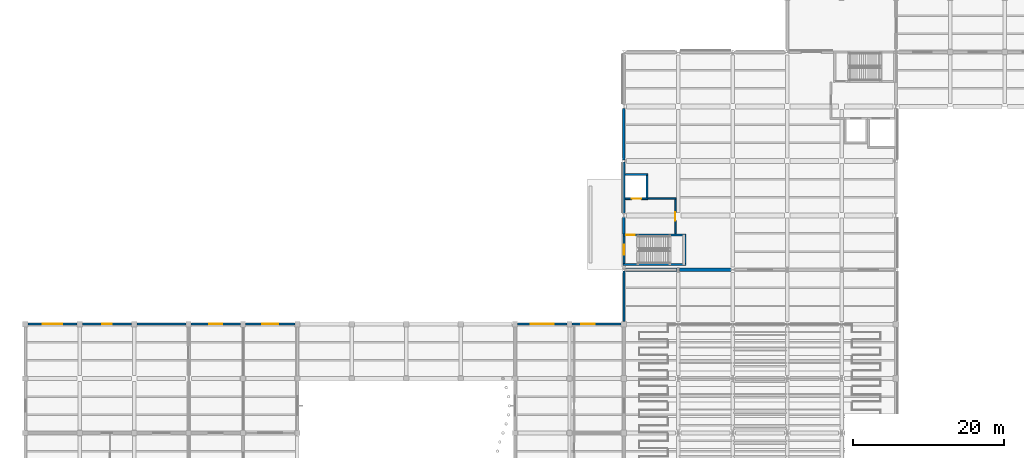
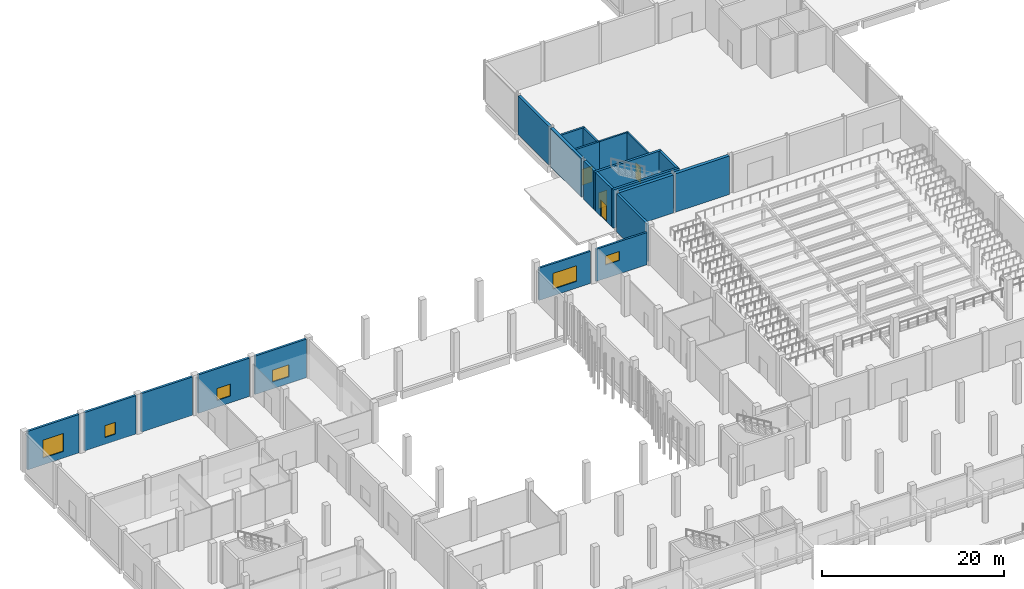
# One storey, part 27 of 46: 22 walls, 6 windows, 4 doors, 10 openings.
"""IFC4 building model written with IfcOpenShell, lengths in metres."""

import ifcopenshell
import ifcopenshell.guid

model = None  # the IFC model being written
_history = None  # IfcOwnerHistory: only IFC2X3 demands one
_inside = {}  # id of a spatial element -> (the spatial element, [elements in it])
_under = {}  # id of a project, library or spatial element -> (it, [spatial elements below it])
_declared = {}  # id of a project -> (the project, [libraries it declares])
_typed = {}  # id of a type object -> (the type object, [elements of that type])
_made_of = {}  # id of a material, layer set ... -> (it, [elements and type objects made of it])


def new_model(schema):
    """Start an empty IFC model of exactly this schema.

    Asked for "IFC4X3", IfcOpenShell would pick the latest addendum, in which some entities
    have other attributes; the version numbers below select the first issue.
    IFC2X3 requires an IfcOwnerHistory on every rooted entity: one is made here for all.
    """
    global model, _history
    if schema == "IFC4X3":
        model = ifcopenshell.file(schema_version=(4, 3, 0, 0))
    else:
        model = ifcopenshell.file(schema=schema)
    _inside.clear()
    _under.clear()
    _declared.clear()
    _typed.clear()
    _made_of.clear()
    _history = None
    if model.schema == "IFC2X3":
        org = make("IfcOrganization", Name="unknown")
        user = make(
            "IfcPersonAndOrganization",
            ThePerson=make("IfcPerson", FamilyName="unknown"),
            TheOrganization=org,
        )
        app = make(
            "IfcApplication",
            ApplicationDeveloper=org,
            Version="unknown",
            ApplicationFullName="unknown",
            ApplicationIdentifier="unknown",
        )
        _history = make(
            "IfcOwnerHistory",
            OwningUser=user,
            OwningApplication=app,
            ChangeAction="ADDED",
            CreationDate=0,
        )
    return model


def make(cls, **values):
    """One entity of the class cls with the attributes given. An attribute that is None is left unset."""
    return model.create_entity(
        cls, **{name: value for name, value in values.items() if value is not None}
    )


def rooted(cls, **values):
    """An entity with a GlobalId (a new one), such as an element, a storey or a relation."""
    return make(cls, GlobalId=ifcopenshell.guid.new(), OwnerHistory=_history, **values)


def si_unit(unit_type, name, prefix=None):
    """IfcSIUnit, for example si_unit("LENGTHUNIT", "METRE", prefix="MILLI")."""
    return make("IfcSIUnit", UnitType=unit_type, Prefix=prefix, Name=name)


def assignment(units):
    """IfcUnitAssignment: the units of a project."""
    return None if units is None else make("IfcUnitAssignment", Units=units)


def point(xyz):
    """IfcCartesianPoint."""
    return None if xyz is None else make("IfcCartesianPoint", Coordinates=xyz)


def direction(xyz):
    """IfcDirection."""
    return None if xyz is None else make("IfcDirection", DirectionRatios=xyz)


def frame(location, z_axis=None, x_axis=None):
    """IfcAxis2Placement3D, a coordinate frame: its origin and axes. An axis left out is left unset."""
    return make(
        "IfcAxis2Placement3D",
        Location=point(location),
        Axis=direction(z_axis),
        RefDirection=direction(x_axis),
    )


def frame_2d(location, x_axis=None):
    """IfcAxis2Placement2D, a coordinate frame in the plane: its origin and x axis."""
    return make(
        "IfcAxis2Placement2D", Location=point(location), RefDirection=direction(x_axis)
    )


def origin():
    """The frame at (0, 0, 0) with its axes left unset."""
    return frame((0.0, 0.0, 0.0))


def place(relative_to, where):
    """IfcLocalPlacement: puts the frame where relative to a parent placement (None: the world)."""
    return make(
        "IfcLocalPlacement", PlacementRelTo=relative_to, RelativePlacement=where
    )


def context(
    kind, dimensions, precision=None, world=None, true_north=None, identifier=None
):
    """IfcGeometricRepresentationContext, for example the 3D "Model" context."""
    return make(
        "IfcGeometricRepresentationContext",
        ContextIdentifier=identifier,
        ContextType=kind,
        CoordinateSpaceDimension=dimensions,
        Precision=precision,
        WorldCoordinateSystem=world,
        TrueNorth=true_north,
    )


def subcontext(parent, identifier, kind, view, scale=None):
    """IfcGeometricRepresentationSubContext, for example "Body" below "Model"."""
    return make(
        "IfcGeometricRepresentationSubContext",
        ContextIdentifier=identifier,
        ContextType=kind,
        ParentContext=parent,
        TargetScale=scale,
        TargetView=view,
    )


def project(units=None, contexts=None):
    """IfcProject with its units and contexts."""
    return rooted(
        "IfcProject",
        Name="project",
        RepresentationContexts=contexts,
        UnitsInContext=assignment(units),
    )


def spatial(cls, under=None, at=None, **own):
    """A site, building, storey or space (cls), placed at a placement, below another one or the project."""
    s = rooted(cls, ObjectPlacement=at, **own)
    if under is not None:
        _under.setdefault(under.id(), (under, []))[1].append(s)
    return s


def profile(cls, at=None, kind="AREA", **sizes):
    """A parametric profile (cls). Its sizes go by their IFC names, for example OverallWidth=200.0."""
    return make(cls, ProfileType=kind, Position=at, **sizes)


def rectangle(**sizes):
    """IfcRectangleProfileDef."""
    return profile("IfcRectangleProfileDef", **sizes)


def extrude(swept, where, along, depth):
    """IfcExtrudedAreaSolid: the profile swept, set in the frame where, extruded along a direction by depth."""
    return make(
        "IfcExtrudedAreaSolid",
        SweptArea=swept,
        Position=where,
        ExtrudedDirection=direction(along),
        Depth=depth,
    )


def shape(context_of_items, identifier, shape_type, items):
    """IfcShapeRepresentation: the items that make up one representation, for example the "Body"."""
    return make(
        "IfcShapeRepresentation",
        ContextOfItems=context_of_items,
        RepresentationIdentifier=identifier,
        RepresentationType=shape_type,
        Items=items,
    )


def material(Name=None, Category=None):
    """IfcMaterial."""
    return make("IfcMaterial", Name=Name, Category=Category)


def layer(
    of_material, thickness, ventilated=None, Name=None, Category=None, Priority=None
):
    """IfcMaterialLayer: one layer of a wall or slab, of a material (None: an air gap)."""
    return make(
        "IfcMaterialLayer",
        Material=of_material,
        LayerThickness=thickness,
        IsVentilated=ventilated,
        Name=Name,
        Category=Category,
        Priority=Priority,
    )


def layer_set(layers, Name=None):
    """IfcMaterialLayerSet."""
    return make("IfcMaterialLayerSet", MaterialLayers=layers, LayerSetName=Name)


def made_of(thing, what):
    """Note that an element or type object is made of a material, layer set ...; save() writes the relation."""
    if what is not None:
        _made_of.setdefault(what.id(), (what, []))[1].append(thing)
    return thing


def type_object(cls, material=None, **own):
    """A type object (cls), such as IfcWallType, which elements share."""
    return made_of(rooted(cls, **own), material)


def element(
    cls,
    number,
    at=None,
    inside=None,
    cuts=None,
    type_object=None,
    material=None,
    context=None,
    identifier="Body",
    shape_type=None,
    held_by="IfcProductDefinitionShape",
    body=None,
    shapes=None,
    **own,
):
    """One element of the class cls, such as IfcWall. Its Tag is "e" and its number.

    at: its placement. inside: the storey or other place that contains it. cuts: it is an
    opening in that element (IfcRelVoidsElement). A single representation is given by context,
    identifier, shape_type and body (its items); several are given by shapes. held_by: the class
    of the entity that holds the representations. save() writes the other relations.
    """
    e = rooted(cls, Tag="e%d" % number, ObjectPlacement=at, **own)
    if body is not None:
        shapes = [shape(context, identifier, shape_type, body)]
    if shapes is not None:
        e.Representation = make(held_by, Representations=shapes)
    if inside is not None:
        _inside.setdefault(inside.id(), (inside, []))[1].append(e)
    if cuts is not None:
        rooted(
            "IfcRelVoidsElement", RelatingBuildingElement=cuts, RelatedOpeningElement=e
        )
    if type_object is not None:
        _typed.setdefault(type_object.id(), (type_object, []))[1].append(e)
    return made_of(e, material)


def fill(opening, filler):
    """IfcRelFillsElement: the door or window that sits in an opening."""
    return rooted(
        "IfcRelFillsElement",
        RelatingOpeningElement=opening,
        RelatedBuildingElement=filler,
    )


def aggregate(whole, parts):
    """IfcRelAggregates: a whole, such as a stair, and the parts it consists of."""
    return rooted("IfcRelAggregates", RelatingObject=whole, RelatedObjects=parts)


def save(model, path):
    """Write the relations noted so far, then the file.

    IfcRelAggregates (storeys below a building ...), IfcRelContainedInSpatialStructure (elements
    in a storey), IfcRelDefinesByType, IfcRelAssociatesMaterial and IfcRelDeclares: one each for
    every whole, place, type object, material and project.
    """
    for whole, parts in _under.values():
        aggregate(whole, parts)
    for where, things in _inside.values():
        rooted(
            "IfcRelContainedInSpatialStructure",
            RelatedElements=things,
            RelatingStructure=where,
        )
    for kind, things in _typed.values():
        rooted("IfcRelDefinesByType", RelatedObjects=things, RelatingType=kind)
    for what, things in _made_of.values():
        rooted("IfcRelAssociatesMaterial", RelatedObjects=things, RelatingMaterial=what)
    for by, libraries in _declared.values():
        rooted("IfcRelDeclares", RelatingContext=by, RelatedDefinitions=libraries)
    model.write(path)


model = new_model("IFC4")

# Units and contexts
model_context = context("Model", 3, precision=1e-05, world=origin(), true_north=direction((0.0, 1.0)))
body_context = subcontext(model_context, "Body", "Model", "MODEL_VIEW")
ifc_project = project(units=[si_unit("LENGTHUNIT", "METRE"), si_unit("AREAUNIT", "SQUARE_METRE"), si_unit("VOLUMEUNIT", "CUBIC_METRE"), si_unit("PLANEANGLEUNIT", "RADIAN"), si_unit("MASSUNIT", "GRAM", prefix="KILO"), si_unit("THERMODYNAMICTEMPERATUREUNIT", "KELVIN"), si_unit("POWERUNIT", "WATT")], contexts=[model_context])

# Site, building, storey
site_placement = place(None, origin())
site = spatial("IfcSite", under=ifc_project, at=site_placement, CompositionType="ELEMENT")
building_placement = place(site_placement, origin())
building = spatial("IfcBuilding", under=site, at=building_placement, Name="Kaldorven Railside Theatre", CompositionType="ELEMENT")
storey_placement = place(building_placement, origin())
storey = spatial("IfcBuildingStorey", under=building, at=storey_placement, Name="L00", CompositionType="ELEMENT", Elevation=0.0)

# Walls
ifc_material_1 = material(Name="Precast concrete C40/50", Category="concrete")
ifc_layer_1 = layer(ifc_material_1, 0.35009765625, Name="Precast concrete C40/50")
ifc_layer_set_1 = layer_set([ifc_layer_1], Name="Precast concrete C40/50")
wall_type_1 = type_object("IfcWallType", Name="WL-EW03", PredefinedType="SOLIDWALL", material=ifc_layer_set_1)
wall_1_placement = place(storey_placement, frame((87.199951171875, 88.75, 0.0), z_axis=(0.0, 0.0, 1.0), x_axis=(0.0, 1.0, 0.0)))
element("IfcWall", 1, at=wall_1_placement, inside=storey, type_object=wall_type_1, Name="V2 L00 Exterior Wall EW-0269", PredefinedType="SOLIDWALL", context=body_context, shape_type="SweptSolid", body=[
    extrude(rectangle(XDim=2.199951171875, YDim=0.35009765625, at=frame_2d((1.10009765625, 0.0))), origin(), (0.0, 0.0, 1.0), 5.14990234375),
])
for number, where, z_axis, x_axis, name in (
    (2, (87.199951171875, 91.449951171875, 0.0), (0.0, 0.0, 1.0), (0.0, 1.0, 0.0), "V2 L00 Exterior Wall EW-0270"),
    (3, (87.199951171875, 98.550048828125, 0.0), (0.0, 0.0, 1.0), (0.0, 1.0, 0.0), "V2 L00 Exterior Wall EW-0271"),
):
    element("IfcWall", number, at=place(storey_placement, frame(where, z_axis=z_axis, x_axis=x_axis)), inside=storey, type_object=wall_type_1, Name=name, PredefinedType="SOLIDWALL", context=body_context, shape_type="SweptSolid", body=[
        extrude(rectangle(XDim=6.800048828125, YDim=0.35009765625, at=frame_2d((3.39990234375, 0.0))), origin(), (0.0, 0.0, 1.0), 5.14990234375),
    ])

# Wall, opening, window
ifc_material_2 = material(Name="Architectural concrete C40/50", Category="concrete")
ifc_layer_2 = layer(ifc_material_2, 0.280029296875, Name="Architectural concrete C40/50")
ifc_layer_set_2 = layer_set([ifc_layer_2], Name="Architectural concrete C40/50")
wall_type_2 = type_object("IfcWallType", Name="WL-EW05", PredefinedType="SOLIDWALL", material=ifc_layer_set_2)
wall_2_placement = place(storey_placement, frame((8.35009765625, 76.800048828125, 0.0), z_axis=(0.0, 0.0, 1.0), x_axis=(1.0, 0.0, 0.0)))
wall_2 = element("IfcWall", 4, at=wall_2_placement, inside=storey, type_object=wall_type_2, Name="V4 L00 Exterior Wall EW-0179", PredefinedType="SOLIDWALL", context=body_context, shape_type="SweptSolid", body=[
    extrude(rectangle(XDim=6.5, YDim=0.280029296875, at=frame_2d((3.25, 0.0))), origin(), (0.0, 0.0, 1.0), 5.14990234375),
])
opening_1_placement = place(wall_2_placement, frame((1.949951171875, 0.0, 0.89990234375)))
opening_1 = element("IfcOpeningElement", 5, at=opening_1_placement, cuts=wall_2, Name="Opening WN-020", PredefinedType="OPENING", context=body_context, shape_type="SweptSolid", body=[
    extrude(rectangle(XDim=2.60009765625, YDim=2.39990234375, at=frame_2d((1.300048828125, 1.199951171875))), frame((0.0, 0.14990234375, 0.0), z_axis=(0.0, -1.0, 0.0), x_axis=(1.0, 0.0, 0.0)), (0.0, 0.0, 1.0), 0.300048828125),
])
ifc_material_3 = material(Name="Low-E laminated solar-control glass", Category="glass")
window_type_1 = type_object("IfcWindowType", Name="WN-EW20", PartitioningType="SINGLE_PANEL", PredefinedType="WINDOW", material=ifc_material_3)
window_1_placement = place(opening_1_placement, origin())
window_1 = element("IfcWindow", 6, at=window_1_placement, inside=storey, type_object=window_type_1, Name="Shaded Acoustic Exterior Window WN-020", OverallHeight=2.39990234375, OverallWidth=2.60009765625, PartitioningType="SINGLE_PANEL", PredefinedType="WINDOW", context=body_context, shape_type="SweptSolid", body=[
    extrude(rectangle(XDim=2.60009765625, YDim=2.39990234375, at=frame_2d((1.300048828125, 1.199951171875))), frame((0.0, 0.030029296875, 0.0), z_axis=(0.0, -1.0, 0.0), x_axis=(1.0, 0.0, 0.0)), (0.0, 0.0, 1.0), 0.06005859375),
])
fill(opening_1, window_1)

wall_3_placement = place(storey_placement, frame((15.550048828125, 76.800048828125, 0.0), z_axis=(0.0, 0.0, 1.0), x_axis=(1.0, 0.0, 0.0)))
wall_3 = element("IfcWall", 7, at=wall_3_placement, inside=storey, type_object=wall_type_2, Name="V4 L00 Exterior Wall EW-0180", PredefinedType="SOLIDWALL", context=body_context, shape_type="SweptSolid", body=[
    extrude(rectangle(XDim=6.5, YDim=0.280029296875, at=frame_2d((3.25, 0.0))), origin(), (0.0, 0.0, 1.0), 5.14990234375),
])
opening_2_placement = place(wall_3_placement, frame((2.60009765625, 0.0, 0.89990234375)))
opening_2 = element("IfcOpeningElement", 8, at=opening_2_placement, cuts=wall_3, Name="Opening WN-021", PredefinedType="OPENING", context=body_context, shape_type="SweptSolid", body=[
    extrude(rectangle(XDim=1.300048828125, YDim=1.60009765625, at=frame_2d((0.64990234375, 0.800048828125))), frame((0.0, 0.14990234375, 0.0), z_axis=(0.0, -1.0, 0.0), x_axis=(1.0, 0.0, 0.0)), (0.0, 0.0, 1.0), 0.300048828125),
])
window_type_2 = type_object("IfcWindowType", Name="WN-EW21", PartitioningType="SINGLE_PANEL", PredefinedType="WINDOW", material=ifc_material_3)
window_2_placement = place(opening_2_placement, origin())
window_2 = element("IfcWindow", 9, at=window_2_placement, inside=storey, type_object=window_type_2, Name="Shaded Acoustic Exterior Window WN-021", OverallHeight=1.60009765625, OverallWidth=1.300048828125, PartitioningType="SINGLE_PANEL", PredefinedType="WINDOW", context=body_context, shape_type="SweptSolid", body=[
    extrude(rectangle(XDim=1.300048828125, YDim=1.60009765625, at=frame_2d((0.64990234375, 0.800048828125))), frame((0.0, 0.030029296875, 0.0), z_axis=(0.0, -1.0, 0.0), x_axis=(1.0, 0.0, 0.0)), (0.0, 0.0, 1.0), 0.06005859375),
])
fill(opening_2, window_2)

# Wall
wall_4_placement = place(storey_placement, frame((22.75, 76.800048828125, 0.0), z_axis=(0.0, 0.0, 1.0), x_axis=(1.0, 0.0, 0.0)))
element("IfcWall", 10, at=wall_4_placement, inside=storey, type_object=wall_type_2, Name="V4 L00 Exterior Wall EW-0181", PredefinedType="SOLIDWALL", context=body_context, shape_type="SweptSolid", body=[
    extrude(rectangle(XDim=6.5, YDim=0.280029296875, at=frame_2d((3.25, 0.0))), origin(), (0.0, 0.0, 1.0), 5.14990234375),
])

# Wall, opening, window
wall_5_placement = place(storey_placement, frame((29.949951171875, 76.800048828125, 0.0), z_axis=(0.0, 0.0, 1.0), x_axis=(1.0, 0.0, 0.0)))
wall_5 = element("IfcWall", 11, at=wall_5_placement, inside=storey, type_object=wall_type_2, Name="V4 L00 Exterior Wall EW-0182", PredefinedType="SOLIDWALL", context=body_context, shape_type="SweptSolid", body=[
    extrude(rectangle(XDim=6.5, YDim=0.280029296875, at=frame_2d((3.25, 0.0))), origin(), (0.0, 0.0, 1.0), 5.14990234375),
])
opening_3_placement = place(wall_5_placement, frame((2.39990234375, 0.0, 0.89990234375)))
opening_3 = element("IfcOpeningElement", 12, at=opening_3_placement, cuts=wall_5, Name="Opening WN-022", PredefinedType="OPENING", context=body_context, shape_type="SweptSolid", body=[
    extrude(rectangle(XDim=1.699951171875, YDim=1.60009765625, at=frame_2d((0.85009765625, 0.800048828125))), frame((0.0, 0.14990234375, 0.0), z_axis=(0.0, -1.0, 0.0), x_axis=(1.0, 0.0, 0.0)), (0.0, 0.0, 1.0), 0.300048828125),
])
window_type_3 = type_object("IfcWindowType", Name="WN-EW22", PartitioningType="SINGLE_PANEL", PredefinedType="WINDOW", material=ifc_material_3)
window_3_placement = place(opening_3_placement, origin())
window_3 = element("IfcWindow", 13, at=window_3_placement, inside=storey, type_object=window_type_3, Name="Shaded Acoustic Exterior Window WN-022", OverallHeight=1.60009765625, OverallWidth=1.699951171875, PartitioningType="SINGLE_PANEL", PredefinedType="WINDOW", context=body_context, shape_type="SweptSolid", body=[
    extrude(rectangle(XDim=1.699951171875, YDim=1.60009765625, at=frame_2d((0.85009765625, 0.800048828125))), frame((0.0, 0.030029296875, 0.0), z_axis=(0.0, -1.0, 0.0), x_axis=(1.0, 0.0, 0.0)), (0.0, 0.0, 1.0), 0.06005859375),
])
fill(opening_3, window_3)

wall_6_placement = place(storey_placement, frame((37.14990234375, 76.800048828125, 0.0), z_axis=(0.0, 0.0, 1.0), x_axis=(1.0, 0.0, 0.0)))
wall_6 = element("IfcWall", 14, at=wall_6_placement, inside=storey, type_object=wall_type_2, Name="V4 L00 Exterior Wall EW-0183", PredefinedType="SOLIDWALL", context=body_context, shape_type="SweptSolid", body=[
    extrude(rectangle(XDim=6.5, YDim=0.280029296875, at=frame_2d((3.25, 0.0))), origin(), (0.0, 0.0, 1.0), 5.14990234375),
])
opening_4_placement = place(wall_6_placement, frame((2.199951171875, 0.0, 0.89990234375)))
opening_4 = element("IfcOpeningElement", 15, at=opening_4_placement, cuts=wall_6, Name="Opening WN-023", PredefinedType="OPENING", context=body_context, shape_type="SweptSolid", body=[
    extrude(rectangle(XDim=2.10009765625, YDim=1.60009765625, at=frame_2d((1.050048828125, 0.800048828125))), frame((0.0, 0.14990234375, 0.0), z_axis=(0.0, -1.0, 0.0), x_axis=(1.0, 0.0, 0.0)), (0.0, 0.0, 1.0), 0.300048828125),
])
window_type_4 = type_object("IfcWindowType", Name="WN-EW23", PartitioningType="SINGLE_PANEL", PredefinedType="WINDOW", material=ifc_material_3)
window_4_placement = place(opening_4_placement, origin())
window_4 = element("IfcWindow", 16, at=window_4_placement, inside=storey, type_object=window_type_4, Name="Shaded Acoustic Exterior Window WN-023", OverallHeight=1.60009765625, OverallWidth=2.10009765625, PartitioningType="SINGLE_PANEL", PredefinedType="WINDOW", context=body_context, shape_type="SweptSolid", body=[
    extrude(rectangle(XDim=2.10009765625, YDim=1.60009765625, at=frame_2d((1.050048828125, 0.800048828125))), frame((0.0, 0.030029296875, 0.0), z_axis=(0.0, -1.0, 0.0), x_axis=(1.0, 0.0, 0.0)), (0.0, 0.0, 1.0), 0.06005859375),
])
fill(opening_4, window_4)

ifc_layer_3 = layer(ifc_material_1, 0.25, Name="Precast concrete C40/50")
ifc_layer_set_3 = layer_set([ifc_layer_3], Name="Precast concrete C40/50")
wall_type_3 = type_object("IfcWallType", Name="WL-EW06", PredefinedType="SOLIDWALL", material=ifc_layer_set_3)
wall_7_placement = place(storey_placement, frame((73.14990234375, 76.800048828125, 0.0), z_axis=(0.0, 0.0, 1.0), x_axis=(1.0, 0.0, 0.0)))
wall_7 = element("IfcWall", 17, at=wall_7_placement, inside=storey, type_object=wall_type_3, Name="V5W L00 Exterior Wall EW-0213", PredefinedType="SOLIDWALL", context=body_context, shape_type="SweptSolid", body=[
    extrude(rectangle(XDim=6.5, YDim=0.25, at=frame_2d((3.25, 0.0))), origin(), (0.0, 0.0, 1.0), 4.31494140625),
])
opening_5_placement = place(wall_7_placement, frame((1.75, 0.0, 0.89990234375)))
opening_5 = element("IfcOpeningElement", 18, at=opening_5_placement, cuts=wall_7, Name="Opening WN-038", PredefinedType="OPENING", context=body_context, shape_type="SweptSolid", body=[
    extrude(rectangle(XDim=3.0, YDim=2.10009765625, at=frame_2d((1.5, 1.050048828125))), frame((0.0, 0.135009765625, 0.0), z_axis=(0.0, -1.0, 0.0), x_axis=(1.0, 0.0, 0.0)), (0.0, 0.0, 1.0), 0.27001953125),
])
window_type_5 = type_object("IfcWindowType", Name="WN-EW13", PartitioningType="SINGLE_PANEL", PredefinedType="WINDOW", material=ifc_material_3)
window_5_placement = place(opening_5_placement, origin())
window_5 = element("IfcWindow", 19, at=window_5_placement, inside=storey, type_object=window_type_5, Name="Shaded Acoustic Exterior Window WN-038", OverallHeight=2.10009765625, OverallWidth=3.0, PartitioningType="SINGLE_PANEL", PredefinedType="WINDOW", context=body_context, shape_type="SweptSolid", body=[
    extrude(rectangle(XDim=3.0, YDim=2.10009765625, at=frame_2d((1.5, 1.050048828125))), frame((0.0, 0.030029296875, 0.0), z_axis=(0.0, -1.0, 0.0), x_axis=(1.0, 0.0, 0.0)), (0.0, 0.0, 1.0), 0.06005859375),
])
fill(opening_5, window_5)

wall_8_placement = place(storey_placement, frame((80.35009765625, 76.800048828125, 0.0), z_axis=(0.0, 0.0, 1.0), x_axis=(1.0, 0.0, 0.0)))
wall_8 = element("IfcWall", 20, at=wall_8_placement, inside=storey, type_object=wall_type_3, Name="V5W L00 Exterior Wall EW-0214", PredefinedType="SOLIDWALL", context=body_context, shape_type="SweptSolid", body=[
    extrude(rectangle(XDim=6.474853515625, YDim=0.25, at=frame_2d((3.2373046875, 0.0))), origin(), (0.0, 0.0, 1.0), 4.31494140625),
])
opening_6_placement = place(wall_8_placement, frame((1.1875, 0.0, 1.800048828125)))
opening_6 = element("IfcOpeningElement", 21, at=opening_6_placement, cuts=wall_8, Name="Opening WN-039", PredefinedType="OPENING", context=body_context, shape_type="SweptSolid", body=[
    extrude(rectangle(XDim=1.800048828125, YDim=1.199951171875, at=frame_2d((0.89990234375, 0.60009765625))), frame((0.0, 0.135009765625, 0.0), z_axis=(0.0, -1.0, 0.0), x_axis=(1.0, 0.0, 0.0)), (0.0, 0.0, 1.0), 0.27001953125),
])
window_type_6 = type_object("IfcWindowType", Name="WN-EW14", PartitioningType="SINGLE_PANEL", PredefinedType="WINDOW", material=ifc_material_3)
window_6_placement = place(opening_6_placement, origin())
window_6 = element("IfcWindow", 22, at=window_6_placement, inside=storey, type_object=window_type_6, Name="Shaded Acoustic Exterior Window WN-039", OverallHeight=1.199951171875, OverallWidth=1.800048828125, PartitioningType="SINGLE_PANEL", PredefinedType="WINDOW", context=body_context, shape_type="SweptSolid", body=[
    extrude(rectangle(XDim=1.800048828125, YDim=1.199951171875, at=frame_2d((0.89990234375, 0.60009765625))), frame((0.0, 0.030029296875, 0.0), z_axis=(0.0, -1.0, 0.0), x_axis=(1.0, 0.0, 0.0)), (0.0, 0.0, 1.0), 0.06005859375),
])
fill(opening_6, window_6)

# Wall
ifc_material_4 = material(Name="Concrete C40/50", Category="concrete")
ifc_layer_4 = layer(ifc_material_4, 0.300048828125, Name="Concrete C40/50")
ifc_layer_set_4 = layer_set([ifc_layer_4], Name="Concrete C40/50")
wall_type_4 = type_object("IfcWallType", Name="WL-IW-CORE", PredefinedType="SHEAR", material=ifc_layer_set_4)
wall_9_placement = place(storey_placement, frame((95.449951171875, 84.699951171875, 0.0), z_axis=(0.0, 0.0, 1.0), x_axis=(-1.0, 0.0, 0.0)))
element("IfcWall", 23, at=wall_9_placement, inside=storey, type_object=wall_type_4, Name="L00 Core Wall CW-0133", PredefinedType="SHEAR", context=body_context, shape_type="SweptSolid", body=[
    extrude(rectangle(XDim=8.39990234375, YDim=0.300048828125, at=frame_2d((4.199951171875, 0.0))), origin(), (0.0, 0.0, 1.0), 5.14990234375),
])

# Wall, opening, door
wall_10_placement = place(storey_placement, frame((87.199951171875, 84.85205078125, 0.0), z_axis=(0.0, 0.0, 1.0), x_axis=(0.0, 1.0, 0.0)))
wall_10 = element("IfcWall", 24, at=wall_10_placement, inside=storey, type_object=wall_type_4, Name="L00 Core Wall CW-0134", PredefinedType="SHEAR", context=body_context, shape_type="SweptSolid", body=[
    extrude(rectangle(XDim=3.597900390625, YDim=0.300048828125, at=frame_2d((1.798828125, 0.0))), origin(), (0.0, 0.0, 1.0), 5.14990234375),
])
opening_7_placement = place(wall_10_placement, frame((1.123046875, 0.0, 0.0)))
opening_7 = element("IfcOpeningElement", 25, at=opening_7_placement, cuts=wall_10, Name="Opening ED-204", PredefinedType="OPENING", context=body_context, shape_type="SweptSolid", body=[
    extrude(rectangle(XDim=1.35009765625, YDim=2.199951171875, at=frame_2d((0.675048828125, 1.10009765625))), frame((0.0, 0.16015625, 0.0), z_axis=(0.0, -1.0, 0.0), x_axis=(1.0, 0.0, 0.0)), (0.0, 0.0, 1.0), 0.320068359375),
])
ifc_material_5 = material(Name="Powder-coated hollow-metal steel", Category="steel")
door_type_1 = type_object("IfcDoorType", Name="DR-ED04", OperationType="NOTDEFINED", PredefinedType="DOOR", material=ifc_material_5)
door_1_placement = place(opening_7_placement, origin())
door_1 = element("IfcDoor", 26, at=door_1_placement, inside=storey, type_object=door_type_1, Name="Pedestrian Final Exit (ST-05)", OperationType="SINGLE_SWING_LEFT", OverallHeight=2.199951171875, OverallWidth=1.35009765625, PredefinedType="DOOR", context=body_context, shape_type="SweptSolid", body=[
    extrude(rectangle(XDim=1.35009765625, YDim=2.199951171875, at=frame_2d((0.675048828125, 1.10009765625))), frame((0.0, 0.02490234375, 0.0), z_axis=(0.0, -1.0, 0.0), x_axis=(1.0, 0.0, 0.0)), (0.0, 0.0, 1.0), 0.050048828125),
])
fill(opening_7, door_1)

wall_11_placement = place(storey_placement, frame((87.050048828125, 88.60009765625, 0.0), z_axis=(0.0, 0.0, 1.0), x_axis=(1.0, 0.0, 0.0)))
wall_11 = element("IfcWall", 27, at=wall_11_placement, inside=storey, type_object=wall_type_4, Name="L00 Core Wall CW-0135", PredefinedType="SHEAR", context=body_context, shape_type="SweptSolid", body=[
    extrude(rectangle(XDim=8.39990234375, YDim=0.300048828125, at=frame_2d((4.199951171875, 0.0))), origin(), (0.0, 0.0, 1.0), 5.14990234375),
])
opening_8_placement = place(wall_11_placement, frame((0.489990234375, 0.0, 0.0)))
opening_8 = element("IfcOpeningElement", 28, at=opening_8_placement, cuts=wall_11, Name="Opening ID-0019", PredefinedType="OPENING", context=body_context, shape_type="SweptSolid", body=[
    extrude(rectangle(XDim=1.10009765625, YDim=2.14990234375, at=frame_2d((0.550048828125, 1.074951171875))), frame((0.0, 0.16015625, 0.0), z_axis=(0.0, -1.0, 0.0), x_axis=(1.0, 0.0, 0.0)), (0.0, 0.0, 1.0), 0.320068359375),
])
ifc_material_6 = material(Name="Acoustic hardwood timber", Category="wood")
door_type_2 = type_object("IfcDoorType", Name="DR-ID-FD60", OperationType="NOTDEFINED", PredefinedType="DOOR", material=ifc_material_6)
door_2_placement = place(opening_8_placement, origin())
door_2 = element("IfcDoor", 29, at=door_2_placement, inside=storey, type_object=door_type_2, Name="Stair ST-05 Fire Door", OperationType="SINGLE_SWING_LEFT", OverallHeight=2.14990234375, OverallWidth=1.10009765625, PredefinedType="DOOR", context=body_context, shape_type="SweptSolid", body=[
    extrude(rectangle(XDim=1.10009765625, YDim=2.14990234375, at=frame_2d((0.550048828125, 1.074951171875))), frame((0.0, 0.02490234375, 0.0), z_axis=(0.0, -1.0, 0.0), x_axis=(1.0, 0.0, 0.0)), (0.0, 0.0, 1.0), 0.050048828125),
])
fill(opening_8, door_2)

# Walls
wall_12_placement = place(storey_placement, frame((95.300048828125, 88.447998046875, 0.0), z_axis=(0.0, 0.0, 1.0), x_axis=(0.0, -1.0, 0.0)))
element("IfcWall", 30, at=wall_12_placement, inside=storey, type_object=wall_type_4, Name="L00 Core Wall CW-0136", PredefinedType="SHEAR", context=body_context, shape_type="SweptSolid", body=[
    extrude(rectangle(XDim=3.595947265625, YDim=0.300048828125, at=frame_2d((1.7978515625, 0.0))), origin(), (0.0, 0.0, 1.0), 5.14990234375),
])
wall_13_placement = place(storey_placement, frame((87.199951171875, 77.175048828125, 0.0), z_axis=(0.0, 0.0, 1.0), x_axis=(0.0, 1.0, 0.0)))
element("IfcWall", 31, at=wall_13_placement, inside=storey, type_object=wall_type_4, Name="L00 Interior Wall AW-0345", PredefinedType="SHEAR", context=body_context, shape_type="SweptSolid", body=[
    extrude(rectangle(XDim=6.638671875, YDim=0.300048828125, at=frame_2d((3.3193359375, 0.0))), origin(), (0.0, 0.0, 1.0), 5.10009765625),
])
ifc_material_7 = material(Name="Concrete C35/45", Category="concrete")
ifc_layer_5 = layer(ifc_material_7, 0.199951171875, Name="Concrete C35/45")
ifc_layer_set_5 = layer_set([ifc_layer_5], Name="Concrete C35/45")
wall_type_5 = type_object("IfcWallType", Name="WL-IW-FF", PredefinedType="PARTITIONING", material=ifc_layer_set_5)
wall_14_placement = place(storey_placement, frame((90.3701171875, 93.39990234375, 0.0), z_axis=(0.0, 0.0, 1.0), x_axis=(1.0, 0.0, 0.0)))
element("IfcWall", 32, at=wall_14_placement, inside=storey, type_object=wall_type_5, Name="L00 Interior Wall FFW-0185", PredefinedType="PARTITIONING", context=body_context, shape_type="SweptSolid", body=[
    extrude(rectangle(XDim=3.72998046875, YDim=0.199951171875, at=frame_2d((1.864990234375, 0.0))), origin(), (0.0, 0.0, 1.0), 5.14990234375),
])

# Wall, opening, door
wall_15_placement = place(storey_placement, frame((94.0, 93.298095703125, 0.0), z_axis=(0.0, 0.0, 1.0), x_axis=(0.0, -1.0, 0.0)))
wall_15 = element("IfcWall", 33, at=wall_15_placement, inside=storey, type_object=wall_type_5, Name="L00 Interior Wall FFW-0186", PredefinedType="PARTITIONING", context=body_context, shape_type="SweptSolid", body=[
    extrude(rectangle(XDim=4.546142578125, YDim=0.199951171875, at=frame_2d((2.27294921875, 0.0))), origin(), (0.0, 0.0, 1.0), 5.14990234375),
])
opening_9_placement = place(wall_15_placement, frame((1.697998046875, 0.0, 0.0)))
opening_9 = element("IfcOpeningElement", 34, at=opening_9_placement, cuts=wall_15, Name="Opening ID-0026", PredefinedType="OPENING", context=body_context, shape_type="SweptSolid", body=[
    extrude(rectangle(XDim=1.14990234375, YDim=2.14990234375, at=frame_2d((0.574951171875, 1.074951171875))), frame((0.0, 0.10986328125, 0.0), z_axis=(0.0, -1.0, 0.0), x_axis=(1.0, 0.0, 0.0)), (0.0, 0.0, 1.0), 0.219970703125),
])
door_type_3 = type_object("IfcDoorType", Name="DR-ID-FD120", OperationType="NOTDEFINED", PredefinedType="DOOR", material=ifc_material_5)
door_3_placement = place(opening_9_placement, origin())
door_3 = element("IfcDoor", 35, at=door_3_placement, inside=storey, type_object=door_type_3, Name="Firefighting Lobby C-STW Door", OperationType="SINGLE_SWING_RIGHT", OverallHeight=2.14990234375, OverallWidth=1.14990234375, PredefinedType="DOOR", context=body_context, shape_type="SweptSolid", body=[
    extrude(rectangle(XDim=1.14990234375, YDim=2.14990234375, at=frame_2d((0.574951171875, 1.074951171875))), frame((0.0, 0.02490234375, 0.0), z_axis=(0.0, -1.0, 0.0), x_axis=(1.0, 0.0, 0.0)), (0.0, 0.0, 1.0), 0.050048828125),
])
fill(opening_9, door_3)

# Walls
ifc_layer_6 = layer(ifc_material_4, 0.39990234375, Name="Concrete C40/50")
ifc_layer_set_6 = layer_set([ifc_layer_6], Name="Concrete C40/50")
wall_type_6 = type_object("IfcWallType", Name="WL-IW-PROSC", PredefinedType="SHEAR", material=ifc_layer_set_6)
wall_16_placement = place(storey_placement, frame((87.384033203125, 84.0, 0.0), z_axis=(0.0, 0.0, 1.0), x_axis=(1.0, 0.0, 0.0)))
element("IfcWall", 36, at=wall_16_placement, inside=storey, type_object=wall_type_6, Name="L00 Interior Wall PW-0330", PredefinedType="SHEAR", context=body_context, shape_type="SweptSolid", body=[
    extrude(rectangle(XDim=6.865966796875, YDim=0.39990234375, at=frame_2d((3.43310546875, 0.0))), origin(), (0.0, 0.0, 1.0), 5.10009765625),
])
wall_17_placement = place(storey_placement, frame((94.550048828125, 84.0, 0.0), z_axis=(0.0, 0.0, 1.0), x_axis=(1.0, 0.0, 0.0)))
element("IfcWall", 37, at=wall_17_placement, inside=storey, type_object=wall_type_6, Name="L00 Interior Wall PW-0331", PredefinedType="SHEAR", context=body_context, shape_type="SweptSolid", body=[
    extrude(rectangle(XDim=6.800048828125, YDim=0.39990234375, at=frame_2d((3.39990234375, 0.0))), origin(), (0.0, 0.0, 1.0), 5.14990234375),
])

# Wall, opening, door
ifc_layer_7 = layer(ifc_material_4, 0.239990234375, Name="Concrete C40/50")
ifc_layer_set_7 = layer_set([ifc_layer_7], Name="Concrete C40/50")
wall_type_7 = type_object("IfcWallType", Name="WL-IW-SHAFT", PredefinedType="SHEAR", material=ifc_layer_set_7)
wall_18_placement = place(storey_placement, frame((90.3701171875, 93.39990234375, 0.0), z_axis=(0.0, 0.0, 1.0), x_axis=(-1.0, 0.0, 0.0)))
wall_18 = element("IfcWall", 38, at=wall_18_placement, inside=storey, type_object=wall_type_7, Name="L00 Interior Wall SW-0160", PredefinedType="SHEAR", context=body_context, shape_type="SweptSolid", body=[
    extrude(rectangle(XDim=2.9931640625, YDim=0.239990234375, at=frame_2d((1.49658203125, 0.0))), origin(), (0.0, 0.0, 1.0), 5.14990234375),
])
opening_10_placement = place(wall_18_placement, frame((0.846435546875, 0.0, 0.0)))
opening_10 = element("IfcOpeningElement", 39, at=opening_10_placement, cuts=wall_18, Name="Opening LD-017", PredefinedType="OPENING", context=body_context, shape_type="SweptSolid", body=[
    extrude(rectangle(XDim=1.300048828125, YDim=2.14990234375, at=frame_2d((0.64990234375, 1.074951171875))), frame((0.0, 0.1298828125, 0.0), z_axis=(0.0, -1.0, 0.0), x_axis=(1.0, 0.0, 0.0)), (0.0, 0.0, 1.0), 0.260009765625),
])
door_type_4 = type_object("IfcDoorType", Name="DR-LD-FF", OperationType="NOTDEFINED", PredefinedType="DOOR", material=ifc_material_5)
door_4_placement = place(opening_10_placement, origin())
door_4 = element("IfcDoor", 40, at=door_4_placement, inside=storey, type_object=door_type_4, Name="Lift LF-FF1 Sliding Landing Door", OperationType="DOUBLE_DOOR_SLIDING", OverallHeight=2.14990234375, OverallWidth=1.300048828125, PredefinedType="DOOR", context=body_context, shape_type="SweptSolid", body=[
    extrude(rectangle(XDim=1.300048828125, YDim=2.14990234375, at=frame_2d((0.64990234375, 1.074951171875))), frame((0.0, 0.02490234375, 0.0), z_axis=(0.0, -1.0, 0.0), x_axis=(1.0, 0.0, 0.0)), (0.0, 0.0, 1.0), 0.050048828125),
])
fill(opening_10, door_4)

# Walls
wall_19_placement = place(storey_placement, frame((87.376953125, 96.60009765625, 0.0), z_axis=(0.0, 0.0, 1.0), x_axis=(1.0, 0.0, 0.0)))
element("IfcWall", 41, at=wall_19_placement, inside=storey, type_object=wall_type_7, Name="L00 Interior Wall SW-0161", PredefinedType="SHEAR", context=body_context, shape_type="SweptSolid", body=[
    extrude(rectangle(XDim=2.9931640625, YDim=0.239990234375, at=frame_2d((1.49658203125, 0.0))), origin(), (0.0, 0.0, 1.0), 5.14990234375),
])
wall_20_placement = place(storey_placement, frame((90.25, 96.47802734375, 0.0), z_axis=(0.0, 0.0, 1.0), x_axis=(0.0, -1.0, 0.0)))
element("IfcWall", 42, at=wall_20_placement, inside=storey, type_object=wall_type_7, Name="L00 Interior Wall SW-0162", PredefinedType="SHEAR", context=body_context, shape_type="SweptSolid", body=[
    extrude(rectangle(XDim=2.9560546875, YDim=0.239990234375, at=frame_2d((1.47802734375, 0.0))), origin(), (0.0, 0.0, 1.0), 5.14990234375),
])

save(model, "model.ifc")
